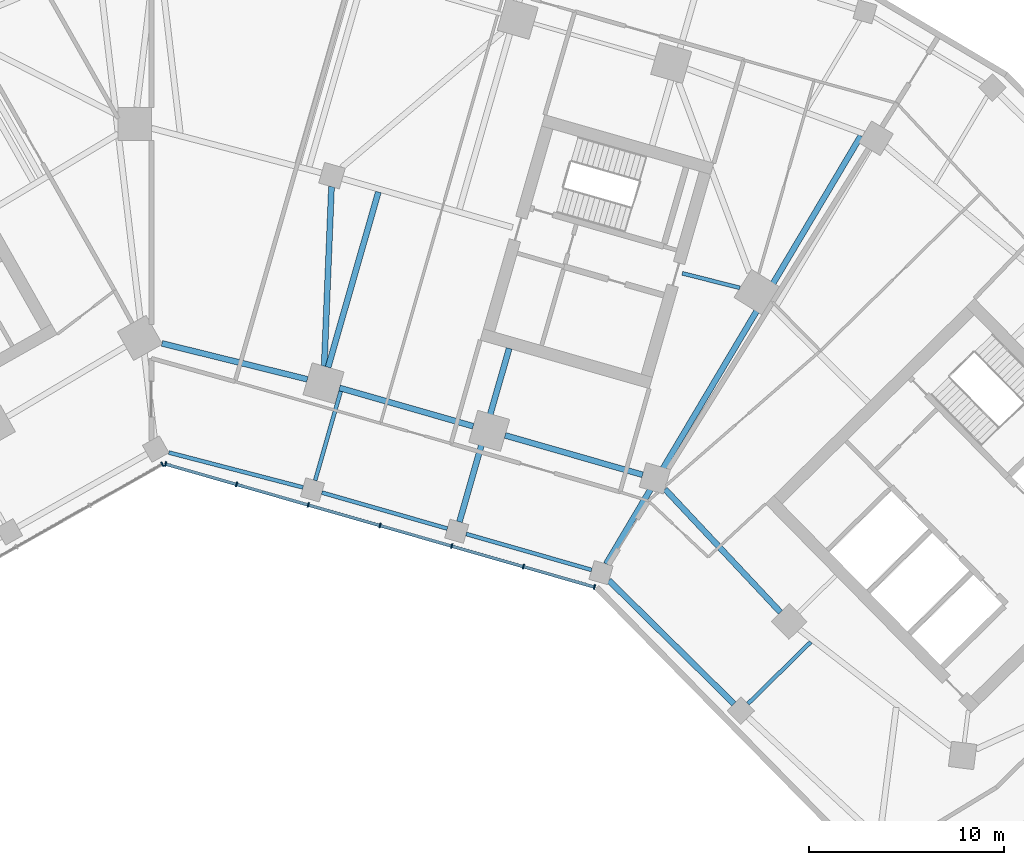
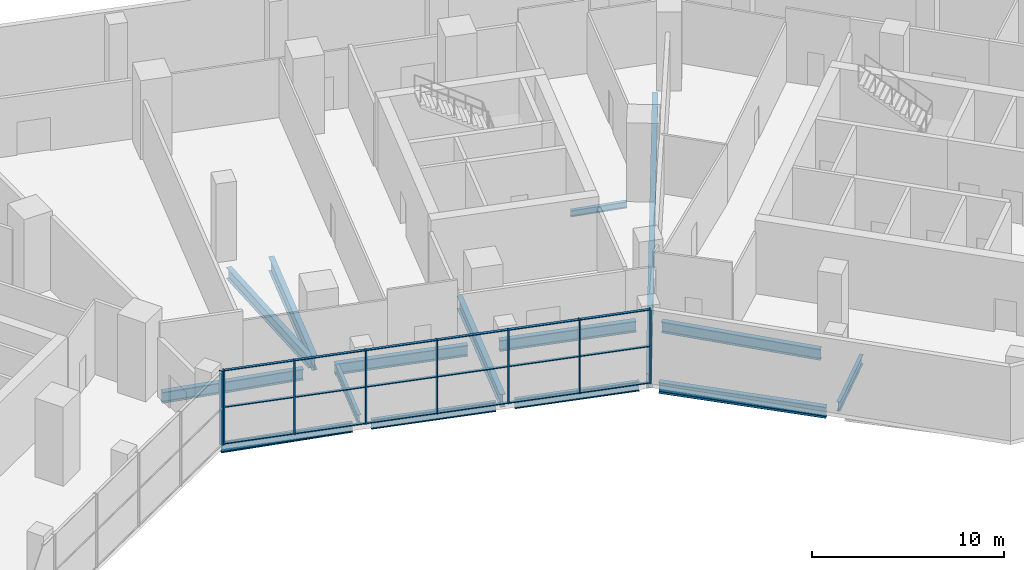
# One storey, part 5 of 16: 26 members, 15 beams, 2 elements without a shape of their own.
"""IFC4 building model written with IfcOpenShell, lengths in metres."""

import ifcopenshell
import ifcopenshell.guid

model = None  # the IFC model being written
_history = None  # IfcOwnerHistory: only IFC2X3 demands one
_inside = {}  # id of a spatial element -> (the spatial element, [elements in it])
_under = {}  # id of a project, library or spatial element -> (it, [spatial elements below it])
_declared = {}  # id of a project -> (the project, [libraries it declares])
_typed = {}  # id of a type object -> (the type object, [elements of that type])
_made_of = {}  # id of a material, layer set ... -> (it, [elements and type objects made of it])


def new_model(schema):
    """Start an empty IFC model of exactly this schema.

    Asked for "IFC4X3", IfcOpenShell would pick the latest addendum, in which some entities
    have other attributes; the version numbers below select the first issue.
    IFC2X3 requires an IfcOwnerHistory on every rooted entity: one is made here for all.
    """
    global model, _history
    if schema == "IFC4X3":
        model = ifcopenshell.file(schema_version=(4, 3, 0, 0))
    else:
        model = ifcopenshell.file(schema=schema)
    _inside.clear()
    _under.clear()
    _declared.clear()
    _typed.clear()
    _made_of.clear()
    _history = None
    if model.schema == "IFC2X3":
        org = make("IfcOrganization", Name="unknown")
        user = make(
            "IfcPersonAndOrganization",
            ThePerson=make("IfcPerson", FamilyName="unknown"),
            TheOrganization=org,
        )
        app = make(
            "IfcApplication",
            ApplicationDeveloper=org,
            Version="unknown",
            ApplicationFullName="unknown",
            ApplicationIdentifier="unknown",
        )
        _history = make(
            "IfcOwnerHistory",
            OwningUser=user,
            OwningApplication=app,
            ChangeAction="ADDED",
            CreationDate=0,
        )
    return model


def make(cls, **values):
    """One entity of the class cls with the attributes given. An attribute that is None is left unset."""
    return model.create_entity(
        cls, **{name: value for name, value in values.items() if value is not None}
    )


def rooted(cls, **values):
    """An entity with a GlobalId (a new one), such as an element, a storey or a relation."""
    return make(cls, GlobalId=ifcopenshell.guid.new(), OwnerHistory=_history, **values)


def si_unit(unit_type, name, prefix=None):
    """IfcSIUnit, for example si_unit("LENGTHUNIT", "METRE", prefix="MILLI")."""
    return make("IfcSIUnit", UnitType=unit_type, Prefix=prefix, Name=name)


def assignment(units):
    """IfcUnitAssignment: the units of a project."""
    return None if units is None else make("IfcUnitAssignment", Units=units)


def point(xyz):
    """IfcCartesianPoint."""
    return None if xyz is None else make("IfcCartesianPoint", Coordinates=xyz)


def direction(xyz):
    """IfcDirection."""
    return None if xyz is None else make("IfcDirection", DirectionRatios=xyz)


def frame(location, z_axis=None, x_axis=None):
    """IfcAxis2Placement3D, a coordinate frame: its origin and axes. An axis left out is left unset."""
    return make(
        "IfcAxis2Placement3D",
        Location=point(location),
        Axis=direction(z_axis),
        RefDirection=direction(x_axis),
    )


def frame_2d(location, x_axis=None):
    """IfcAxis2Placement2D, a coordinate frame in the plane: its origin and x axis."""
    return make(
        "IfcAxis2Placement2D", Location=point(location), RefDirection=direction(x_axis)
    )


def origin():
    """The frame at (0, 0, 0) with its axes left unset."""
    return frame((0.0, 0.0, 0.0))


def origin_2d():
    """The frame at (0, 0) in the plane with its x axis left unset."""
    return frame_2d((0.0, 0.0))


def place(relative_to, where):
    """IfcLocalPlacement: puts the frame where relative to a parent placement (None: the world)."""
    return make(
        "IfcLocalPlacement", PlacementRelTo=relative_to, RelativePlacement=where
    )


def context(
    kind, dimensions, precision=None, world=None, true_north=None, identifier=None
):
    """IfcGeometricRepresentationContext, for example the 3D "Model" context."""
    return make(
        "IfcGeometricRepresentationContext",
        ContextIdentifier=identifier,
        ContextType=kind,
        CoordinateSpaceDimension=dimensions,
        Precision=precision,
        WorldCoordinateSystem=world,
        TrueNorth=true_north,
    )


def subcontext(parent, identifier, kind, view, scale=None):
    """IfcGeometricRepresentationSubContext, for example "Body" below "Model"."""
    return make(
        "IfcGeometricRepresentationSubContext",
        ContextIdentifier=identifier,
        ContextType=kind,
        ParentContext=parent,
        TargetScale=scale,
        TargetView=view,
    )


def project(units=None, contexts=None):
    """IfcProject with its units and contexts."""
    return rooted(
        "IfcProject",
        Name="project",
        RepresentationContexts=contexts,
        UnitsInContext=assignment(units),
    )


def spatial(cls, under=None, at=None, **own):
    """A site, building, storey or space (cls), placed at a placement, below another one or the project."""
    s = rooted(cls, ObjectPlacement=at, **own)
    if under is not None:
        _under.setdefault(under.id(), (under, []))[1].append(s)
    return s


def profile(cls, at=None, kind="AREA", **sizes):
    """A parametric profile (cls). Its sizes go by their IFC names, for example OverallWidth=200.0."""
    return make(cls, ProfileType=kind, Position=at, **sizes)


def rectangle(**sizes):
    """IfcRectangleProfileDef."""
    return profile("IfcRectangleProfileDef", **sizes)


def i_section(**sizes):
    """IfcIShapeProfileDef."""
    return profile("IfcIShapeProfileDef", **sizes)


def extrude(swept, where, along, depth):
    """IfcExtrudedAreaSolid: the profile swept, set in the frame where, extruded along a direction by depth."""
    return make(
        "IfcExtrudedAreaSolid",
        SweptArea=swept,
        Position=where,
        ExtrudedDirection=direction(along),
        Depth=depth,
    )


def shape(context_of_items, identifier, shape_type, items):
    """IfcShapeRepresentation: the items that make up one representation, for example the "Body"."""
    return make(
        "IfcShapeRepresentation",
        ContextOfItems=context_of_items,
        RepresentationIdentifier=identifier,
        RepresentationType=shape_type,
        Items=items,
    )


def material(Name=None, Category=None):
    """IfcMaterial."""
    return make("IfcMaterial", Name=Name, Category=Category)


def material_profile(
    of_material, cross_section, Name=None, Category=None, Priority=None
):
    """IfcMaterialProfile: a cross section and its material."""
    return make(
        "IfcMaterialProfile",
        Name=Name,
        Material=of_material,
        Profile=cross_section,
        Priority=Priority,
        Category=Category,
    )


def profile_set(profiles, Name=None, composite=None):
    """IfcMaterialProfileSet."""
    return make(
        "IfcMaterialProfileSet",
        Name=Name,
        MaterialProfiles=profiles,
        CompositeProfile=composite,
    )


def made_of(thing, what):
    """Note that an element or type object is made of a material, layer set ...; save() writes the relation."""
    if what is not None:
        _made_of.setdefault(what.id(), (what, []))[1].append(thing)
    return thing


def type_object(cls, material=None, **own):
    """A type object (cls), such as IfcWallType, which elements share."""
    return made_of(rooted(cls, **own), material)


def element(
    cls,
    number,
    at=None,
    inside=None,
    cuts=None,
    type_object=None,
    material=None,
    context=None,
    identifier="Body",
    shape_type=None,
    held_by="IfcProductDefinitionShape",
    body=None,
    shapes=None,
    **own,
):
    """One element of the class cls, such as IfcWall. Its Tag is "e" and its number.

    at: its placement. inside: the storey or other place that contains it. cuts: it is an
    opening in that element (IfcRelVoidsElement). A single representation is given by context,
    identifier, shape_type and body (its items); several are given by shapes. held_by: the class
    of the entity that holds the representations. save() writes the other relations.
    """
    e = rooted(cls, Tag="e%d" % number, ObjectPlacement=at, **own)
    if body is not None:
        shapes = [shape(context, identifier, shape_type, body)]
    if shapes is not None:
        e.Representation = make(held_by, Representations=shapes)
    if inside is not None:
        _inside.setdefault(inside.id(), (inside, []))[1].append(e)
    if cuts is not None:
        rooted(
            "IfcRelVoidsElement", RelatingBuildingElement=cuts, RelatedOpeningElement=e
        )
    if type_object is not None:
        _typed.setdefault(type_object.id(), (type_object, []))[1].append(e)
    return made_of(e, material)


def aggregate(whole, parts):
    """IfcRelAggregates: a whole, such as a stair, and the parts it consists of."""
    return rooted("IfcRelAggregates", RelatingObject=whole, RelatedObjects=parts)


def save(model, path):
    """Write the relations noted so far, then the file.

    IfcRelAggregates (storeys below a building ...), IfcRelContainedInSpatialStructure (elements
    in a storey), IfcRelDefinesByType, IfcRelAssociatesMaterial and IfcRelDeclares: one each for
    every whole, place, type object, material and project.
    """
    for whole, parts in _under.values():
        aggregate(whole, parts)
    for where, things in _inside.values():
        rooted(
            "IfcRelContainedInSpatialStructure",
            RelatedElements=things,
            RelatingStructure=where,
        )
    for kind, things in _typed.values():
        rooted("IfcRelDefinesByType", RelatedObjects=things, RelatingType=kind)
    for what, things in _made_of.values():
        rooted("IfcRelAssociatesMaterial", RelatedObjects=things, RelatingMaterial=what)
    for by, libraries in _declared.values():
        rooted("IfcRelDeclares", RelatingContext=by, RelatedDefinitions=libraries)
    model.write(path)


model = new_model("IFC4")

# Units and contexts
model_context = context("Model", 3, precision=1e-05, world=origin(), true_north=direction((0.0, 1.0)))
body_context = subcontext(model_context, "Body", "Model", "MODEL_VIEW")
ifc_project = project(units=[si_unit("LENGTHUNIT", "METRE"), si_unit("AREAUNIT", "SQUARE_METRE"), si_unit("VOLUMEUNIT", "CUBIC_METRE"), si_unit("PLANEANGLEUNIT", "RADIAN"), si_unit("MASSUNIT", "GRAM", prefix="KILO")], contexts=[model_context])

# Site, building, storey
site_placement = place(None, origin())
site = spatial("IfcSite", under=ifc_project, at=site_placement, CompositionType="ELEMENT")
building_placement = place(site_placement, origin())
building = spatial("IfcBuilding", under=site, at=building_placement, Name="Binnacle Exchange Tower", CompositionType="ELEMENT")
storey_placement = place(building_placement, frame((0.0, 0.0, 21.5)))
storey = spatial("IfcBuildingStorey", under=building, at=storey_placement, Name="L04", CompositionType="ELEMENT", Elevation=21.5)

# Curtain wall, member
ifc_material_1 = material(Name="Bronze anodised aluminium frame", Category="aluminium")
curtain_wall_type = type_object("IfcCurtainWallType", Name="External wall - curtain wall podium harbour front", PredefinedType="NOTDEFINED", material=ifc_material_1)
curtain_wall_1_placement = place(storey_placement, origin())
curtain_wall_1 = element("IfcCurtainWall", 1, at=curtain_wall_1_placement, inside=storey, type_object=curtain_wall_type, Name="External wall curtain wall CW3-P06 L04", PredefinedType="NOTDEFINED")
ifc_material_profile_1 = material_profile(ifc_material_1, rectangle(XDim=0.25, YDim=0.070068359375, at=origin_2d()), Name="AL 70x250")
ifc_profile_set_1 = profile_set([ifc_material_profile_1], Name="Bronze anodised aluminium frame")
member_type_1 = type_object("IfcMemberType", Name="CW3 MULLION 70x250", PredefinedType="MULLION", material=ifc_profile_set_1)
member_1_placement = place(storey_placement, frame((0.561279296875, 42.57275390625, 0.0), z_axis=(0.0, 0.0, 1.0), x_axis=(-0.492423763004, 0.870355581144, 0.0)))
member_1 = element("IfcMember", 2, at=member_1_placement, type_object=member_type_1, Name="CW3-P06 mullion 11", PredefinedType="MULLION", context=body_context, shape_type="SweptSolid", body=[
    extrude(rectangle(XDim=0.25, YDim=0.070068359375, at=origin_2d()), origin(), (0.0, 0.0, 1.0), 4.679931640625),
])
aggregate(curtain_wall_1, [member_1])

# Curtain wall, members
curtain_wall_2_placement = place(storey_placement, origin())
curtain_wall_2 = element("IfcCurtainWall", 3, at=curtain_wall_2_placement, inside=storey, type_object=curtain_wall_type, Name="External wall curtain wall CW3-P07 L04", PredefinedType="NOTDEFINED")
member_2_placement = place(storey_placement, frame((0.721435546875, 42.591796875, 0.0), z_axis=(0.0, 0.0, 1.0), x_axis=(0.275636946454, 0.961261813321, 0.0)))
member_2 = element("IfcMember", 4, at=member_2_placement, type_object=member_type_1, Name="CW3-P07 mullion 1", PredefinedType="MULLION", context=body_context, shape_type="SweptSolid", body=[
    extrude(rectangle(XDim=0.25, YDim=0.070068359375, at=origin_2d()), origin(), (0.0, 0.0, 1.0), 4.679931640625),
])
member_3_placement = place(storey_placement, frame((4.3583984375, 41.548828125, 0.0), z_axis=(0.0, 0.0, 1.0), x_axis=(0.275636946454, 0.961261813321, 0.0)))
member_3 = element("IfcMember", 5, at=member_3_placement, type_object=member_type_1, Name="CW3-P07 mullion 2", PredefinedType="MULLION", context=body_context, shape_type="SweptSolid", body=[
    extrude(rectangle(XDim=0.25, YDim=0.070068359375, at=origin_2d()), origin(), (0.0, 0.0, 1.0), 4.679931640625),
])
member_4_placement = place(storey_placement, frame((8.029052734375, 40.496337890625, 0.0), z_axis=(0.0, 0.0, 1.0), x_axis=(0.275636946454, 0.961261813321, 0.0)))
member_4 = element("IfcMember", 6, at=member_4_placement, type_object=member_type_1, Name="CW3-P07 mullion 3", PredefinedType="MULLION", context=body_context, shape_type="SweptSolid", body=[
    extrude(rectangle(XDim=0.25, YDim=0.070068359375, at=origin_2d()), origin(), (0.0, 0.0, 1.0), 4.679931640625),
])
member_5_placement = place(storey_placement, frame((11.699951171875, 39.443603515625, 0.0), z_axis=(0.0, 0.0, 1.0), x_axis=(0.275636946454, 0.961261813321, 0.0)))
member_5 = element("IfcMember", 7, at=member_5_placement, type_object=member_type_1, Name="CW3-P07 mullion 4", PredefinedType="MULLION", context=body_context, shape_type="SweptSolid", body=[
    extrude(rectangle(XDim=0.25, YDim=0.070068359375, at=origin_2d()), origin(), (0.0, 0.0, 1.0), 4.679931640625),
])
member_6_placement = place(storey_placement, frame((15.37060546875, 38.39111328125, 0.0), z_axis=(0.0, 0.0, 1.0), x_axis=(0.275636946454, 0.961261813321, 0.0)))
member_6 = element("IfcMember", 8, at=member_6_placement, type_object=member_type_1, Name="CW3-P07 mullion 5", PredefinedType="MULLION", context=body_context, shape_type="SweptSolid", body=[
    extrude(rectangle(XDim=0.25, YDim=0.070068359375, at=origin_2d()), origin(), (0.0, 0.0, 1.0), 4.679931640625),
])
member_7_placement = place(storey_placement, frame((19.04150390625, 37.338623046875, 0.0), z_axis=(0.0, 0.0, 1.0), x_axis=(0.275636946454, 0.961261813321, 0.0)))
member_7 = element("IfcMember", 9, at=member_7_placement, type_object=member_type_1, Name="CW3-P07 mullion 6", PredefinedType="MULLION", context=body_context, shape_type="SweptSolid", body=[
    extrude(rectangle(XDim=0.25, YDim=0.070068359375, at=origin_2d()), origin(), (0.0, 0.0, 1.0), 4.679931640625),
])
member_8_placement = place(storey_placement, frame((22.678466796875, 36.295654296875, 0.0), z_axis=(0.0, 0.0, 1.0), x_axis=(0.275636946454, 0.961261813321, 0.0)))
member_8 = element("IfcMember", 10, at=member_8_placement, type_object=member_type_1, Name="CW3-P07 mullion 7", PredefinedType="MULLION", context=body_context, shape_type="SweptSolid", body=[
    extrude(rectangle(XDim=0.25, YDim=0.070068359375, at=origin_2d()), origin(), (0.0, 0.0, 1.0), 4.679931640625),
])
ifc_material_profile_2 = material_profile(ifc_material_1, rectangle(XDim=0.159912109375, YDim=0.050048828125, at=origin_2d()), Name="AL 160x50")
ifc_profile_set_2 = profile_set([ifc_material_profile_2], Name="Bronze anodised aluminium frame")
member_type_2 = type_object("IfcMemberType", Name="CW3 TRANSOM 50x160", PredefinedType="USERDEFINED", material=ifc_profile_set_2)
member_9_placement = place(storey_placement, frame((0.7548828125, 42.58203125, 0.02490234375), z_axis=(0.961258055902, -0.275650049815, 0.0), x_axis=(0.275650049815, 0.961258055902, 0.0)))
member_9 = element("IfcMember", 11, at=member_9_placement, type_object=member_type_2, Name="CW3-P07 transom 1.1", ObjectType="TRANSOM", PredefinedType="USERDEFINED", context=body_context, shape_type="SweptSolid", body=[
    extrude(rectangle(XDim=0.159912109375, YDim=0.050048828125, at=origin_2d()), origin(), (0.0, 0.0, 1.0), 3.713623046875),
])
member_10_placement = place(storey_placement, frame((0.7548828125, 42.58203125, 2.340087890625), z_axis=(0.961258055902, -0.275650049815, 0.0), x_axis=(0.275650049815, 0.961258055902, 0.0)))
member_10 = element("IfcMember", 12, at=member_10_placement, type_object=member_type_2, Name="CW3-P07 transom 1.2", ObjectType="TRANSOM", PredefinedType="USERDEFINED", context=body_context, shape_type="SweptSolid", body=[
    extrude(rectangle(XDim=0.159912109375, YDim=0.050048828125, at=origin_2d()), origin(), (0.0, 0.0, 1.0), 3.713623046875),
])
member_11_placement = place(storey_placement, frame((0.7548828125, 42.58203125, 4.655029296875), z_axis=(0.961258055902, -0.275650049815, 0.0), x_axis=(0.275650049815, 0.961258055902, 0.0)))
member_11 = element("IfcMember", 13, at=member_11_placement, type_object=member_type_2, Name="CW3-P07 transom 1.3", ObjectType="TRANSOM", PredefinedType="USERDEFINED", context=body_context, shape_type="SweptSolid", body=[
    extrude(rectangle(XDim=0.159912109375, YDim=0.050048828125, at=origin_2d()), origin(), (0.0, 0.0, 1.0), 3.713623046875),
])
member_12_placement = place(storey_placement, frame((4.39208984375, 41.5390625, 0.02490234375), z_axis=(0.961267940498, -0.275615577519, 0.0), x_axis=(0.275615577519, 0.961267940498, 0.0)))
member_12 = element("IfcMember", 14, at=member_12_placement, type_object=member_type_2, Name="CW3-P07 transom 2.1", ObjectType="TRANSOM", PredefinedType="USERDEFINED", context=body_context, shape_type="SweptSolid", body=[
    extrude(rectangle(XDim=0.159912109375, YDim=0.050048828125, at=origin_2d()), origin(), (0.0, 0.0, 1.0), 3.748779296875),
])
member_13_placement = place(storey_placement, frame((4.39208984375, 41.5390625, 2.340087890625), z_axis=(0.961267940498, -0.275615577519, 0.0), x_axis=(0.275615577519, 0.961267940498, 0.0)))
member_13 = element("IfcMember", 15, at=member_13_placement, type_object=member_type_2, Name="CW3-P07 transom 2.2", ObjectType="TRANSOM", PredefinedType="USERDEFINED", context=body_context, shape_type="SweptSolid", body=[
    extrude(rectangle(XDim=0.159912109375, YDim=0.050048828125, at=origin_2d()), origin(), (0.0, 0.0, 1.0), 3.748779296875),
])
member_14_placement = place(storey_placement, frame((4.39208984375, 41.5390625, 4.655029296875), z_axis=(0.961267940498, -0.275615577519, 0.0), x_axis=(0.275615577519, 0.961267940498, 0.0)))
member_14 = element("IfcMember", 16, at=member_14_placement, type_object=member_type_2, Name="CW3-P07 transom 2.3", ObjectType="TRANSOM", PredefinedType="USERDEFINED", context=body_context, shape_type="SweptSolid", body=[
    extrude(rectangle(XDim=0.159912109375, YDim=0.050048828125, at=origin_2d()), origin(), (0.0, 0.0, 1.0), 3.748779296875),
])
member_15_placement = place(storey_placement, frame((8.062744140625, 40.486572265625, 0.02490234375), z_axis=(0.961267940498, -0.275615577519, 0.0), x_axis=(0.275615577519, 0.961267940498, 0.0)))
member_15 = element("IfcMember", 17, at=member_15_placement, type_object=member_type_2, Name="CW3-P07 transom 3.1", ObjectType="TRANSOM", PredefinedType="USERDEFINED", context=body_context, shape_type="SweptSolid", body=[
    extrude(rectangle(XDim=0.159912109375, YDim=0.050048828125, at=origin_2d()), origin(), (0.0, 0.0, 1.0), 3.748779296875),
])
member_16_placement = place(storey_placement, frame((8.062744140625, 40.486572265625, 2.340087890625), z_axis=(0.961267940498, -0.275615577519, 0.0), x_axis=(0.275615577519, 0.961267940498, 0.0)))
member_16 = element("IfcMember", 18, at=member_16_placement, type_object=member_type_2, Name="CW3-P07 transom 3.2", ObjectType="TRANSOM", PredefinedType="USERDEFINED", context=body_context, shape_type="SweptSolid", body=[
    extrude(rectangle(XDim=0.159912109375, YDim=0.050048828125, at=origin_2d()), origin(), (0.0, 0.0, 1.0), 3.748779296875),
])
member_17_placement = place(storey_placement, frame((8.062744140625, 40.486572265625, 4.655029296875), z_axis=(0.961267940498, -0.275615577519, 0.0), x_axis=(0.275615577519, 0.961267940498, 0.0)))
member_17 = element("IfcMember", 19, at=member_17_placement, type_object=member_type_2, Name="CW3-P07 transom 3.3", ObjectType="TRANSOM", PredefinedType="USERDEFINED", context=body_context, shape_type="SweptSolid", body=[
    extrude(rectangle(XDim=0.159912109375, YDim=0.050048828125, at=origin_2d()), origin(), (0.0, 0.0, 1.0), 3.748779296875),
])
member_18_placement = place(storey_placement, frame((11.733642578125, 39.43408203125, 0.02490234375), z_axis=(0.961245734461, -0.275693014023, 0.0), x_axis=(0.275693014023, 0.961245734461, 0.0)))
member_18 = element("IfcMember", 20, at=member_18_placement, type_object=member_type_2, Name="CW3-P07 transom 4.1", ObjectType="TRANSOM", PredefinedType="USERDEFINED", context=body_context, shape_type="SweptSolid", body=[
    extrude(rectangle(XDim=0.159912109375, YDim=0.050048828125, at=origin_2d()), origin(), (0.0, 0.0, 1.0), 3.74853515625),
])
member_19_placement = place(storey_placement, frame((11.733642578125, 39.43408203125, 2.340087890625), z_axis=(0.961245734461, -0.275693014023, 0.0), x_axis=(0.275693014023, 0.961245734461, 0.0)))
member_19 = element("IfcMember", 21, at=member_19_placement, type_object=member_type_2, Name="CW3-P07 transom 4.2", ObjectType="TRANSOM", PredefinedType="USERDEFINED", context=body_context, shape_type="SweptSolid", body=[
    extrude(rectangle(XDim=0.159912109375, YDim=0.050048828125, at=origin_2d()), origin(), (0.0, 0.0, 1.0), 3.74853515625),
])
member_20_placement = place(storey_placement, frame((11.733642578125, 39.43408203125, 4.655029296875), z_axis=(0.961245734461, -0.275693014023, 0.0), x_axis=(0.275693014023, 0.961245734461, 0.0)))
member_20 = element("IfcMember", 22, at=member_20_placement, type_object=member_type_2, Name="CW3-P07 transom 4.3", ObjectType="TRANSOM", PredefinedType="USERDEFINED", context=body_context, shape_type="SweptSolid", body=[
    extrude(rectangle(XDim=0.159912109375, YDim=0.050048828125, at=origin_2d()), origin(), (0.0, 0.0, 1.0), 3.74853515625),
])
member_21_placement = place(storey_placement, frame((15.404296875, 38.38134765625, 0.02490234375), z_axis=(0.961267940498, -0.275615577519, 0.0), x_axis=(0.275615577519, 0.961267940498, 0.0)))
member_21 = element("IfcMember", 23, at=member_21_placement, type_object=member_type_2, Name="CW3-P07 transom 5.1", ObjectType="TRANSOM", PredefinedType="USERDEFINED", context=body_context, shape_type="SweptSolid", body=[
    extrude(rectangle(XDim=0.159912109375, YDim=0.050048828125, at=origin_2d()), origin(), (0.0, 0.0, 1.0), 3.748779296875),
])
member_22_placement = place(storey_placement, frame((15.404296875, 38.38134765625, 2.340087890625), z_axis=(0.961267940498, -0.275615577519, 0.0), x_axis=(0.275615577519, 0.961267940498, 0.0)))
member_22 = element("IfcMember", 24, at=member_22_placement, type_object=member_type_2, Name="CW3-P07 transom 5.2", ObjectType="TRANSOM", PredefinedType="USERDEFINED", context=body_context, shape_type="SweptSolid", body=[
    extrude(rectangle(XDim=0.159912109375, YDim=0.050048828125, at=origin_2d()), origin(), (0.0, 0.0, 1.0), 3.748779296875),
])
member_23_placement = place(storey_placement, frame((15.404296875, 38.38134765625, 4.655029296875), z_axis=(0.961267940498, -0.275615577519, 0.0), x_axis=(0.275615577519, 0.961267940498, 0.0)))
member_23 = element("IfcMember", 25, at=member_23_placement, type_object=member_type_2, Name="CW3-P07 transom 5.3", ObjectType="TRANSOM", PredefinedType="USERDEFINED", context=body_context, shape_type="SweptSolid", body=[
    extrude(rectangle(XDim=0.159912109375, YDim=0.050048828125, at=origin_2d()), origin(), (0.0, 0.0, 1.0), 3.748779296875),
])
member_24_placement = place(storey_placement, frame((19.074951171875, 37.328857421875, 0.02490234375), z_axis=(0.961258055902, -0.275650049815, 0.0), x_axis=(0.275650049815, 0.961258055902, 0.0)))
member_24 = element("IfcMember", 26, at=member_24_placement, type_object=member_type_2, Name="CW3-P07 transom 6.1", ObjectType="TRANSOM", PredefinedType="USERDEFINED", context=body_context, shape_type="SweptSolid", body=[
    extrude(rectangle(XDim=0.159912109375, YDim=0.050048828125, at=origin_2d()), origin(), (0.0, 0.0, 1.0), 3.713623046875),
])
member_25_placement = place(storey_placement, frame((19.074951171875, 37.328857421875, 2.340087890625), z_axis=(0.961258055902, -0.275650049815, 0.0), x_axis=(0.275650049815, 0.961258055902, 0.0)))
member_25 = element("IfcMember", 27, at=member_25_placement, type_object=member_type_2, Name="CW3-P07 transom 6.2", ObjectType="TRANSOM", PredefinedType="USERDEFINED", context=body_context, shape_type="SweptSolid", body=[
    extrude(rectangle(XDim=0.159912109375, YDim=0.050048828125, at=origin_2d()), origin(), (0.0, 0.0, 1.0), 3.713623046875),
])
member_26_placement = place(storey_placement, frame((19.074951171875, 37.328857421875, 4.655029296875), z_axis=(0.961258055902, -0.275650049815, 0.0), x_axis=(0.275650049815, 0.961258055902, 0.0)))
member_26 = element("IfcMember", 28, at=member_26_placement, type_object=member_type_2, Name="CW3-P07 transom 6.3", ObjectType="TRANSOM", PredefinedType="USERDEFINED", context=body_context, shape_type="SweptSolid", body=[
    extrude(rectangle(XDim=0.159912109375, YDim=0.050048828125, at=origin_2d()), origin(), (0.0, 0.0, 1.0), 3.713623046875),
])
aggregate(curtain_wall_2, [member_2, member_3, member_4, member_5, member_6, member_7, member_8, member_9, member_10, member_11, member_12, member_13, member_14, member_15, member_16, member_17, member_18, member_19, member_20, member_21, member_22, member_23, member_24, member_25, member_26])

# Beams
ifc_material_2 = material(Name="Steel S355 (SHN355)", Category="steel")
ifc_material_profile_3 = material_profile(ifc_material_2, i_section(OverallWidth=0.200927734375, OverallDepth=0.60595703125, WebThickness=0.011962890625, FlangeThickness=0.02001953125, FilletRadius=0.02197265625, at=origin_2d()), Name="H 606x201x12x20")
ifc_profile_set_3 = profile_set([ifc_material_profile_3], Name="Steel S355 (SHN355)")
beam_type_1 = type_object("IfcBeamType", Name="Edge girder H 606x201x12x20 Steel S355 (SHN355)", PredefinedType="SPANDREL", material=ifc_profile_set_3)
beam_1_placement = place(storey_placement, frame((15.1474609375, 39.287353515625, -0.653076171875), z_axis=(-0.961262967186, 0.275632922412, 0.0), x_axis=(-0.275632922412, -0.961262967186, 0.0)))
element("IfcBeam", 29, at=beam_1_placement, inside=storey, type_object=beam_type_1, Name="S:BM:edge:L04:051", PredefinedType="SPANDREL", context=body_context, shape_type="SweptSolid", body=[
    extrude(i_section(OverallWidth=0.200927734375, OverallDepth=0.60595703125, WebThickness=0.011962890625, FlangeThickness=0.02001953125, FilletRadius=0.02197265625, at=origin_2d()), origin(), (0.0, 0.0, 1.0), 6.682861328125),
])
beam_2_placement = place(storey_placement, frame((22.532470703125, 37.169677734375, -0.653076171875), z_axis=(-0.961260191586, 0.275642602064, 0.0), x_axis=(-0.275642602064, -0.961260191586, 0.0)))
element("IfcBeam", 30, at=beam_2_placement, inside=storey, type_object=beam_type_1, Name="S:BM:edge:L04:055", PredefinedType="SPANDREL", context=body_context, shape_type="SweptSolid", body=[
    extrude(i_section(OverallWidth=0.200927734375, OverallDepth=0.60595703125, WebThickness=0.011962890625, FlangeThickness=0.02001953125, FilletRadius=0.02197265625, at=origin_2d()), origin(), (0.0, 0.0, 1.0), 6.6826171875),
])
ifc_material_profile_4 = material_profile(ifc_material_2, i_section(OverallWidth=0.201904296875, OverallDepth=0.612060546875, WebThickness=0.012939453125, FlangeThickness=0.02294921875, FilletRadius=0.02197265625, at=origin_2d()), Name="H 612x202x13x23")
ifc_profile_set_4 = profile_set([ifc_material_profile_4], Name="Steel S355 (SHN355)")
beam_type_2 = type_object("IfcBeamType", Name="Edge girder H 612x202x13x23 Steel S355 (SHN355)", PredefinedType="SPANDREL", material=ifc_profile_set_4)
beam_3_placement = place(storey_placement, frame((7.7587890625, 41.393310546875, -0.656005859375), z_axis=(-0.967768014177, 0.251843345627, 0.0), x_axis=(-0.251843345627, -0.967768014177, 0.0)))
element("IfcBeam", 31, at=beam_3_placement, inside=storey, type_object=beam_type_2, Name="S:BM:edge:L04:047", PredefinedType="SPANDREL", context=body_context, shape_type="SweptSolid", body=[
    extrude(i_section(OverallWidth=0.201904296875, OverallDepth=0.612060546875, WebThickness=0.012939453125, FlangeThickness=0.02294921875, FilletRadius=0.02197265625, at=origin_2d()), origin(), (0.0, 0.0, 1.0), 7.09521484375),
])
ifc_material_profile_5 = material_profile(ifc_material_2, i_section(OverallWidth=0.300048828125, OverallDepth=0.699951171875, WebThickness=0.012939453125, FlangeThickness=0.02392578125, FilletRadius=0.028076171875, at=origin_2d()), Name="H 700x300x13x24")
ifc_profile_set_5 = profile_set([ifc_material_profile_5], Name="Steel S355 (SHN355)")
beam_type_3 = type_object("IfcBeamType", Name="Edge girder H 700x300x13x24 Steel S355 (SHN355)", PredefinedType="SPANDREL", material=ifc_profile_set_5)
beam_4_placement = place(storey_placement, frame((0.54443359375, 48.763916015625, -0.699951171875), z_axis=(0.970818997342, -0.239813415805, 0.0), x_axis=(0.239813415805, 0.970818997342, 0.0)))
element("IfcBeam", 32, at=beam_4_placement, inside=storey, type_object=beam_type_3, Name="S:BM:edge:L04:045", PredefinedType="SPANDREL", context=body_context, shape_type="SweptSolid", body=[
    extrude(i_section(OverallWidth=0.300048828125, OverallDepth=0.699951171875, WebThickness=0.012939453125, FlangeThickness=0.02392578125, FilletRadius=0.028076171875, at=origin_2d()), origin(), (0.0, 0.0, 1.0), 7.662841796875),
])
beam_5_placement = place(storey_placement, frame((9.626708984375, 46.488037109375, -0.699951171875), z_axis=(0.961260850036, -0.275640305812, 0.0), x_axis=(0.275640305812, 0.961260850036, 0.0)))
element("IfcBeam", 33, at=beam_5_placement, inside=storey, type_object=beam_type_3, Name="S:BM:edge:L04:048", PredefinedType="SPANDREL", context=body_context, shape_type="SweptSolid", body=[
    extrude(i_section(OverallWidth=0.300048828125, OverallDepth=0.699951171875, WebThickness=0.012939453125, FlangeThickness=0.02392578125, FilletRadius=0.028076171875, at=origin_2d()), origin(), (0.0, 0.0, 1.0), 7.120361328125),
])
beam_6_placement = place(storey_placement, frame((18.105224609375, 44.056884765625, -0.699951171875), z_axis=(0.96126047873, -0.275641600691, 0.0), x_axis=(0.275641600691, 0.96126047873, 0.0)))
element("IfcBeam", 34, at=beam_6_placement, inside=storey, type_object=beam_type_3, Name="S:BM:edge:L04:053", PredefinedType="SPANDREL", context=body_context, shape_type="SweptSolid", body=[
    extrude(i_section(OverallWidth=0.300048828125, OverallDepth=0.699951171875, WebThickness=0.012939453125, FlangeThickness=0.02392578125, FilletRadius=0.028076171875, at=origin_2d()), origin(), (0.0, 0.0, 1.0), 7.320556640625),
])
beam_7_placement = place(storey_placement, frame((26.284912109375, 41.3076171875, -0.699951171875), z_axis=(0.684056711164, -0.729428828544, 0.0), x_axis=(0.729428828544, 0.684056711164, 0.0)))
element("IfcBeam", 35, at=beam_7_placement, inside=storey, type_object=beam_type_3, Name="S:BM:edge:L04:057", PredefinedType="SPANDREL", context=body_context, shape_type="SweptSolid", body=[
    extrude(i_section(OverallWidth=0.300048828125, OverallDepth=0.699951171875, WebThickness=0.012939453125, FlangeThickness=0.02392578125, FilletRadius=0.028076171875, at=origin_2d()), origin(), (0.0, 0.0, 1.0), 8.6416015625),
])
beam_8_placement = place(storey_placement, frame((29.81640625, 30.31689453125, -0.699951171875), z_axis=(-0.711708607818, 0.702474809198, 0.0), x_axis=(-0.702474809198, -0.711708607818, 0.0)))
element("IfcBeam", 36, at=beam_8_placement, inside=storey, type_object=beam_type_3, Name="S:BM:edge:L04:059", PredefinedType="SPANDREL", context=body_context, shape_type="SweptSolid", body=[
    extrude(i_section(OverallWidth=0.300048828125, OverallDepth=0.699951171875, WebThickness=0.012939453125, FlangeThickness=0.02392578125, FilletRadius=0.028076171875, at=origin_2d()), origin(), (0.0, 0.0, 1.0), 8.989501953125),
])
ifc_material_profile_6 = material_profile(ifc_material_2, i_section(OverallWidth=0.199951171875, OverallDepth=0.60009765625, WebThickness=0.010986328125, FlangeThickness=0.01708984375, FilletRadius=0.02197265625, at=origin_2d()), Name="H 600x200x11x17")
ifc_profile_set_6 = profile_set([ifc_material_profile_6], Name="Steel S355 (SHN355)")
beam_type_4 = type_object("IfcBeamType", Name="Floor beam H 600x200x11x17 Steel S355 (SHN355)", PredefinedType="BEAM", material=ifc_profile_set_6)
beam_9_placement = place(storey_placement, frame((8.380615234375, 41.747802734375, -0.64990234375), z_axis=(0.275651024235, 0.961257776477, 0.0), x_axis=(-0.961257776477, 0.275651024235, 0.0)))
element("IfcBeam", 37, at=beam_9_placement, inside=storey, type_object=beam_type_4, Name="S:BM:cross:L04:105", PredefinedType="BEAM", context=body_context, shape_type="SweptSolid", body=[
    extrude(i_section(OverallWidth=0.199951171875, OverallDepth=0.60009765625, WebThickness=0.010986328125, FlangeThickness=0.01708984375, FilletRadius=0.02197265625, at=origin_2d()), origin(), (0.0, 0.0, 1.0), 4.75),
])
beam_10_placement = place(storey_placement, frame((30.529052734375, 30.316162109375, -0.64990234375), z_axis=(0.713237882923, 0.700922051561, 0.0), x_axis=(-0.700922051561, 0.713237882923, 0.0)))
element("IfcBeam", 38, at=beam_10_placement, inside=storey, type_object=beam_type_4, Name="S:BM:cross:L04:113", PredefinedType="BEAM", context=body_context, shape_type="SweptSolid", body=[
    extrude(i_section(OverallWidth=0.199951171875, OverallDepth=0.60009765625, WebThickness=0.010986328125, FlangeThickness=0.01708984375, FilletRadius=0.02197265625, at=origin_2d()), origin(), (0.0, 0.0, 1.0), 4.519775390625),
])
ifc_material_profile_7 = material_profile(ifc_material_2, i_section(OverallWidth=0.302001953125, OverallDepth=0.80810546875, WebThickness=0.01611328125, FlangeThickness=0.030029296875, FilletRadius=0.028076171875, at=origin_2d()), Name="H 808x302x16x30")
ifc_profile_set_7 = profile_set([ifc_material_profile_7], Name="Steel S355 (SHN355)")
beam_type_5 = type_object("IfcBeamType", Name="Floor beam H 808x302x16x30 Steel S355 (SHN355)", PredefinedType="BEAM", material=ifc_profile_set_7)
beam_11_placement = place(storey_placement, frame((15.765869140625, 39.630126953125, -0.75390625), z_axis=(0.2756218268, 0.961266148677, 0.0), x_axis=(-0.961266148677, 0.2756218268, 0.0)))
element("IfcBeam", 39, at=beam_11_placement, inside=storey, type_object=beam_type_5, Name="S:BM:cross:L04:109", PredefinedType="BEAM", context=body_context, shape_type="SweptSolid", body=[
    extrude(i_section(OverallWidth=0.302001953125, OverallDepth=0.80810546875, WebThickness=0.01611328125, FlangeThickness=0.030029296875, FilletRadius=0.028076171875, at=origin_2d()), origin(), (0.0, 0.0, 1.0), 9.235107421875),
])
ifc_material_profile_8 = material_profile(ifc_material_2, i_section(OverallWidth=0.302001953125, OverallDepth=0.912109375, WebThickness=0.01806640625, FlangeThickness=0.033935546875, FilletRadius=0.028076171875, at=origin_2d()), Name="H 912x302x18x34")
ifc_profile_set_8 = profile_set([ifc_material_profile_8], Name="Steel S355 (SHN355)")
beam_type_6 = type_object("IfcBeamType", Name="Floor beam H 912x302x18x34 Steel S355 (SHN355)", PredefinedType="BEAM", material=ifc_profile_set_8)
beam_12_placement = place(storey_placement, frame((9.043701171875, 47.539306640625, -0.805908203125), z_axis=(0.275646698205, 0.961259017003, 0.0), x_axis=(-0.961259017003, 0.275646698205, 0.0)))
element("IfcBeam", 40, at=beam_12_placement, inside=storey, type_object=beam_type_6, Name="S:BM:cross:L04:106", PredefinedType="BEAM", context=body_context, shape_type="SweptSolid", body=[
    extrude(i_section(OverallWidth=0.302001953125, OverallDepth=0.912109375, WebThickness=0.01806640625, FlangeThickness=0.033935546875, FilletRadius=0.028076171875, at=origin_2d()), origin(), (0.0, 0.0, 1.0), 9.335205078125),
])
ifc_material_profile_9 = material_profile(ifc_material_2, i_section(OverallWidth=0.302978515625, OverallDepth=0.91796875, WebThickness=0.01904296875, FlangeThickness=0.037109375, FilletRadius=0.028076171875, at=origin_2d()), Name="H 918x303x19x37")
ifc_profile_set_9 = profile_set([ifc_material_profile_9], Name="Steel S355 (SHN355)")
beam_type_7 = type_object("IfcBeamType", Name="Floor beam H 918x303x19x37 Steel S355 (SHN355)", PredefinedType="BEAM", material=ifc_profile_set_9)
beam_13_placement = place(storey_placement, frame((23.277587890625, 37.476318359375, -0.80908203125), z_axis=(0.511288746337, 0.859408993361, 0.0), x_axis=(-0.859408993361, 0.511288746337, 0.0)))
element("IfcBeam", 41, at=beam_13_placement, inside=storey, type_object=beam_type_7, Name="S:BM:cross:L04:111", PredefinedType="BEAM", context=body_context, shape_type="SweptSolid", body=[
    extrude(i_section(OverallWidth=0.302978515625, OverallDepth=0.91796875, WebThickness=0.01904296875, FlangeThickness=0.037109375, FilletRadius=0.028076171875, at=origin_2d()), origin(), (0.0, 0.0, 1.0), 25.49755859375),
])
ifc_material_profile_10 = material_profile(ifc_material_2, i_section(OverallWidth=0.199951171875, OverallDepth=0.39990234375, WebThickness=0.008056640625, FlangeThickness=0.012939453125, FilletRadius=0.01611328125, at=origin_2d()), Name="H 400x200x8x13")
ifc_profile_set_10 = profile_set([ifc_material_profile_10], Name="Steel S355 (SHN355)")
beam_type_8 = type_object("IfcBeamType", Name="Spine girder H 400x200x8x13 Steel S355 (SHN355)", PredefinedType="BEAM", material=ifc_profile_set_10)
beam_14_placement = place(storey_placement, frame((27.17138671875, 52.35400390625, -0.550048828125), z_axis=(0.969359627701, -0.245645908136, 0.0), x_axis=(0.245645908136, 0.969359627701, 0.0)))
element("IfcBeam", 42, at=beam_14_placement, inside=storey, type_object=beam_type_8, Name="S:BM:spine:L04:010", PredefinedType="BEAM", context=body_context, shape_type="SweptSolid", body=[
    extrude(i_section(OverallWidth=0.199951171875, OverallDepth=0.39990234375, WebThickness=0.008056640625, FlangeThickness=0.012939453125, FilletRadius=0.01611328125, at=origin_2d()), origin(), (0.0, 0.0, 1.0), 3.046142578125),
])
ifc_material_profile_11 = material_profile(ifc_material_2, i_section(OverallWidth=0.302001953125, OverallDepth=0.7080078125, WebThickness=0.014892578125, FlangeThickness=0.028076171875, FilletRadius=0.028076171875, at=origin_2d()), Name="H 708x302x15x28")
ifc_profile_set_11 = profile_set([ifc_material_profile_11], Name="Steel S355 (SHN355)")
beam_type_9 = type_object("IfcBeamType", Name="Spine girder H 708x302x15x28 Steel S355 (SHN355)", PredefinedType="BEAM", material=ifc_profile_set_11)
beam_15_placement = place(storey_placement, frame((9.218017578125, 56.78466796875, -0.7041015625), z_axis=(-0.040567083206, -0.999176817065, 0.0), x_axis=(0.999176817065, -0.040567083206, 0.0)))
element("IfcBeam", 43, at=beam_15_placement, inside=storey, type_object=beam_type_9, Name="S:BM:spine:L04:007", PredefinedType="BEAM", context=body_context, shape_type="SweptSolid", body=[
    extrude(i_section(OverallWidth=0.302001953125, OverallDepth=0.7080078125, WebThickness=0.014892578125, FlangeThickness=0.028076171875, FilletRadius=0.028076171875, at=origin_2d()), origin(), (0.0, 0.0, 1.0), 9.19580078125),
])

save(model, "model.ifc")
